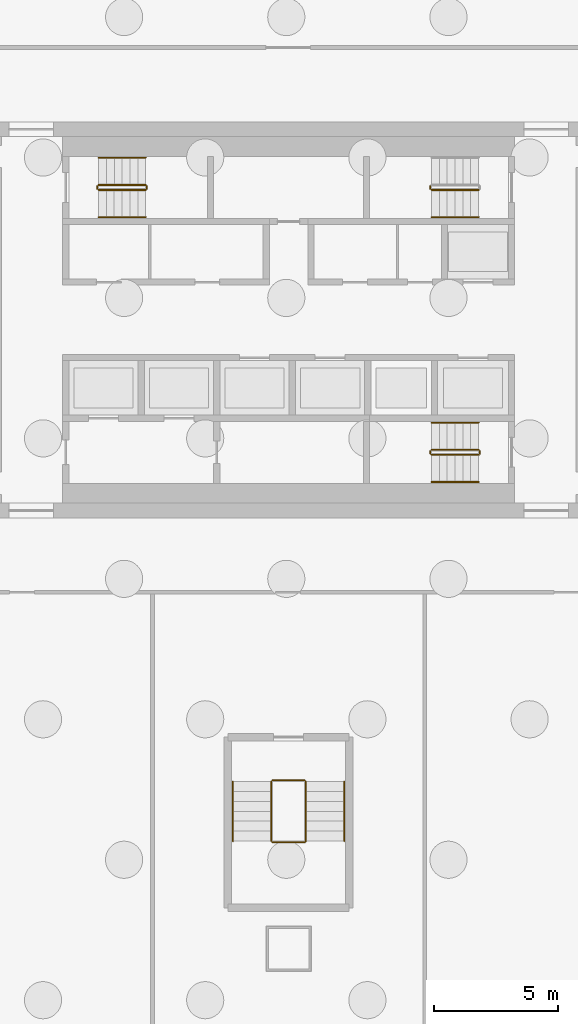
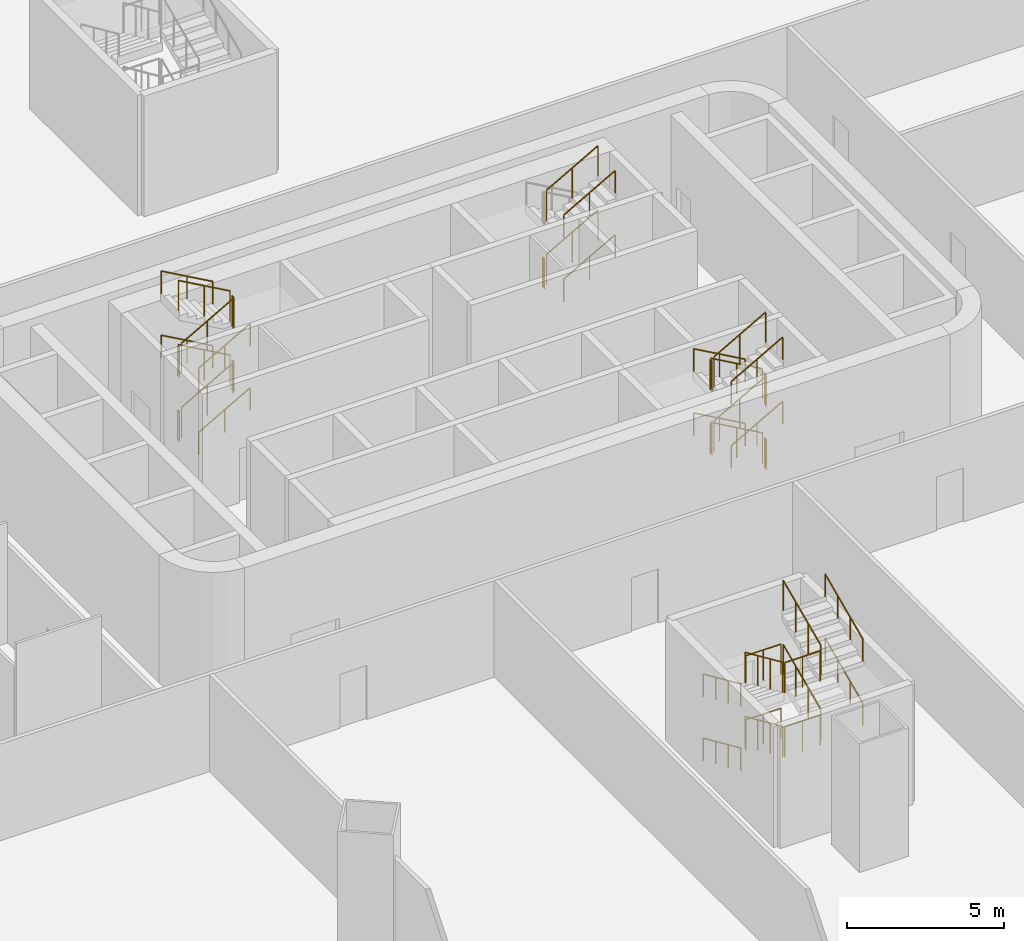
# One storey, part 17 of 19: 41 railings.
"""IFC4 building model written with IfcOpenShell, lengths in metres."""

from ifc_helpers import new_model, si_unit, direction, frame, origin, origin_2d, place, context, subcontext, project, spatial, circle, extrude, material, type_object, element, save


model = new_model("IFC4")

# Units and contexts
model_context = context("Model", 3, precision=1e-05, world=origin(), true_north=direction((0.0, 1.0)))
body_context = subcontext(model_context, "Body", "Model", "MODEL_VIEW")
ifc_project = project(units=[si_unit("LENGTHUNIT", "METRE"), si_unit("AREAUNIT", "SQUARE_METRE"), si_unit("VOLUMEUNIT", "CUBIC_METRE"), si_unit("PLANEANGLEUNIT", "RADIAN"), si_unit("MASSUNIT", "GRAM", prefix="KILO")], contexts=[model_context])

# Site, building, storey
site_placement = place(None, origin())
site = spatial("IfcSite", under=ifc_project, at=site_placement, CompositionType="ELEMENT")
building_placement = place(site_placement, origin())
building = spatial("IfcBuilding", under=site, at=building_placement, Name="Sahrelin Media Tower", CompositionType="ELEMENT")
storey_placement = place(building_placement, frame((0.0, 0.0, -5.0)))
storey = spatial("IfcBuildingStorey", under=building, at=storey_placement, Name="B1", CompositionType="ELEMENT", Elevation=-5.0)

# Railings
ifc_material = material(Name="Steel S355", Category="steel")
railing_type_1 = type_object("IfcRailingType", Name="Stair guard 1200", PredefinedType="GUARDRAIL", material=ifc_material)
railing_1_placement = place(storey_placement, frame((-7.675048828125, 5.25, 0.178466796875)))
element("IfcRailing", 1, at=railing_1_placement, inside=storey, type_object=railing_type_1, Name="B1 ST1 stair guard 1", PredefinedType="GUARDRAIL", context=body_context, shape_type="SweptSolid", body=[
    extrude(circle(Radius=0.02392578125, at=origin_2d()), frame((0.0, 0.0, 1.17578125), z_axis=(0.871046000135, 0.0, 0.491201451188), x_axis=(0.0, 1.0, 0.0)), (0.0, 0.0, 1.0), 2.181396484375),
    extrude(circle(Radius=0.02099609375, at=origin_2d()), origin(), (0.0, 0.0, 1.0), 1.15185546875),
    extrude(circle(Radius=0.02099609375, at=origin_2d()), frame((0.9501953125, 0.0, 0.53564453125)), (0.0, 0.0, 1.0), 1.15185546875),
    extrude(circle(Radius=0.02099609375, at=origin_2d()), frame((1.900146484375, 0.0, 1.071533203125)), (0.0, 0.0, 1.0), 1.15185546875),
])
railing_2_placement = place(storey_placement, frame((-5.72509765625, 5.300048828125, 1.25)))
element("IfcRailing", 2, at=railing_2_placement, inside=storey, type_object=railing_type_1, Name="B1 ST1 stair guard 2", PredefinedType="GUARDRAIL", context=body_context, shape_type="SweptSolid", body=[
    extrude(circle(Radius=0.02392578125, at=origin_2d()), frame((0.0, 0.0, 1.17578125), z_axis=(0.0, 1.0, 0.0), x_axis=(-1.0, 0.0, 0.0)), (0.0, 0.0, 1.0), 0.099853515625),
    extrude(circle(Radius=0.02099609375, at=origin_2d()), origin(), (0.0, 0.0, 1.0), 1.15185546875),
    extrude(circle(Radius=0.02099609375, at=origin_2d()), frame((0.0, 0.099853515625, 0.0)), (0.0, 0.0, 1.0), 1.15185546875),
])
railing_3_placement = place(storey_placement, frame((-5.77490234375, 5.449951171875, 1.428466796875)))
element("IfcRailing", 3, at=railing_3_placement, inside=storey, type_object=railing_type_1, Name="B1 ST1 stair guard 3", PredefinedType="GUARDRAIL", context=body_context, shape_type="SweptSolid", body=[
    extrude(circle(Radius=0.02392578125, at=origin_2d()), frame((0.0, 0.0, 1.17578125), z_axis=(-0.871046000135, 0.0, 0.491201451188), x_axis=(0.0, -1.0, 0.0)), (0.0, 0.0, 1.0), 2.181396484375),
    extrude(circle(Radius=0.02099609375, at=origin_2d()), origin(), (0.0, 0.0, 1.0), 1.15185546875),
    extrude(circle(Radius=0.02099609375, at=origin_2d()), frame((-0.9501953125, 0.0, 0.53564453125)), (0.0, 0.0, 1.0), 1.15185546875),
    extrude(circle(Radius=0.02099609375, at=origin_2d()), frame((-1.900146484375, 0.0, 1.071533203125)), (0.0, 0.0, 1.0), 1.15185546875),
])
railing_4_placement = place(storey_placement, frame((-7.72509765625, 5.300048828125, 2.5)))
element("IfcRailing", 4, at=railing_4_placement, inside=storey, type_object=railing_type_1, Name="B1 ST1 stair guard 4", PredefinedType="GUARDRAIL", context=body_context, shape_type="SweptSolid", body=[
    extrude(circle(Radius=0.02392578125, at=origin_2d()), frame((0.0, 0.0, 1.17578125), z_axis=(0.0, 1.0, 0.0), x_axis=(-1.0, 0.0, 0.0)), (0.0, 0.0, 1.0), 0.099853515625),
    extrude(circle(Radius=0.02099609375, at=origin_2d()), origin(), (0.0, 0.0, 1.0), 1.15185546875),
    extrude(circle(Radius=0.02099609375, at=origin_2d()), frame((0.0, 0.099853515625, 0.0)), (0.0, 0.0, 1.0), 1.15185546875),
])
railing_5_placement = place(storey_placement, frame((-7.675048828125, 5.25, 2.678466796875)))
element("IfcRailing", 5, at=railing_5_placement, inside=storey, type_object=railing_type_1, Name="B1 ST1 stair guard 5", PredefinedType="GUARDRAIL", context=body_context, shape_type="SweptSolid", body=[
    extrude(circle(Radius=0.02392578125, at=origin_2d()), frame((0.0, 0.0, 1.17578125), z_axis=(0.871046000135, 0.0, 0.491201451188), x_axis=(0.0, 1.0, 0.0)), (0.0, 0.0, 1.0), 2.181396484375),
    extrude(circle(Radius=0.02099609375, at=origin_2d()), origin(), (0.0, 0.0, 1.0), 1.15185546875),
    extrude(circle(Radius=0.02099609375, at=origin_2d()), frame((0.9501953125, 0.0, 0.53564453125)), (0.0, 0.0, 1.0), 1.15185546875),
    extrude(circle(Radius=0.02099609375, at=origin_2d()), frame((1.900146484375, 0.0, 1.071533203125)), (0.0, 0.0, 1.0), 1.15185546875),
])
railing_6_placement = place(storey_placement, frame((-5.72509765625, 5.300048828125, 3.75)))
element("IfcRailing", 6, at=railing_6_placement, inside=storey, type_object=railing_type_1, Name="B1 ST1 stair guard 6", PredefinedType="GUARDRAIL", context=body_context, shape_type="SweptSolid", body=[
    extrude(circle(Radius=0.02392578125, at=origin_2d()), frame((0.0, 0.0, 1.17578125), z_axis=(0.0, 1.0, 0.0), x_axis=(-1.0, 0.0, 0.0)), (0.0, 0.0, 1.0), 0.099853515625),
    extrude(circle(Radius=0.02099609375, at=origin_2d()), origin(), (0.0, 0.0, 1.0), 1.15185546875),
    extrude(circle(Radius=0.02099609375, at=origin_2d()), frame((0.0, 0.099853515625, 0.0)), (0.0, 0.0, 1.0), 1.15185546875),
])
railing_7_placement = place(storey_placement, frame((-5.77490234375, 5.449951171875, 3.928466796875)))
element("IfcRailing", 7, at=railing_7_placement, inside=storey, type_object=railing_type_1, Name="B1 ST1 stair guard 7", PredefinedType="GUARDRAIL", context=body_context, shape_type="SweptSolid", body=[
    extrude(circle(Radius=0.02392578125, at=origin_2d()), frame((0.0, 0.0, 1.17578125), z_axis=(-0.871046000135, 0.0, 0.491201451188), x_axis=(0.0, -1.0, 0.0)), (0.0, 0.0, 1.0), 2.181396484375),
    extrude(circle(Radius=0.02099609375, at=origin_2d()), origin(), (0.0, 0.0, 1.0), 1.15185546875),
    extrude(circle(Radius=0.02099609375, at=origin_2d()), frame((-0.9501953125, 0.0, 0.53564453125)), (0.0, 0.0, 1.0), 1.15185546875),
    extrude(circle(Radius=0.02099609375, at=origin_2d()), frame((-1.900146484375, 0.0, 1.071533203125)), (0.0, 0.0, 1.0), 1.15185546875),
])
railing_8_placement = place(storey_placement, frame((-7.72509765625, 5.300048828125, 0.0)))
element("IfcRailing", 8, at=railing_8_placement, inside=storey, type_object=railing_type_1, Name="B1 ST1 stair guard 8", PredefinedType="GUARDRAIL", context=body_context, shape_type="SweptSolid", body=[
    extrude(circle(Radius=0.02392578125, at=origin_2d()), frame((0.0, 0.0, 1.17578125), z_axis=(0.0, 1.0, 0.0), x_axis=(-1.0, 0.0, 0.0)), (0.0, 0.0, 1.0), 0.099853515625),
    extrude(circle(Radius=0.02099609375, at=origin_2d()), origin(), (0.0, 0.0, 1.0), 1.15185546875),
    extrude(circle(Radius=0.02099609375, at=origin_2d()), frame((0.0, 0.099853515625, 0.0)), (0.0, 0.0, 1.0), 1.15185546875),
])
railing_9_placement = place(storey_placement, frame((5.72509765625, 5.39990234375, 1.25)))
element("IfcRailing", 9, at=railing_9_placement, inside=storey, type_object=railing_type_1, Name="B1 ST3 stair guard 2", PredefinedType="GUARDRAIL", context=body_context, shape_type="SweptSolid", body=[
    extrude(circle(Radius=0.02392578125, at=origin_2d()), frame((0.0, 0.0, 1.17578125), z_axis=(0.0, -1.0, 0.0), x_axis=(1.0, 0.0, 0.0)), (0.0, 0.0, 1.0), 0.099853515625),
    extrude(circle(Radius=0.02099609375, at=origin_2d()), origin(), (0.0, 0.0, 1.0), 1.15185546875),
    extrude(circle(Radius=0.02099609375, at=origin_2d()), frame((0.0, -0.099853515625, 0.0)), (0.0, 0.0, 1.0), 1.15185546875),
])
for number, where, name in (
    (10, (5.77490234375, 5.25, 1.428466796875), "B1 ST3 stair guard 3"),
    (11, (5.77490234375, 5.25, 3.928466796875), "B1 ST3 stair guard 7"),
):
    element("IfcRailing", number, at=place(storey_placement, frame(where)), inside=storey, type_object=railing_type_1, Name=name, PredefinedType="GUARDRAIL", context=body_context, shape_type="SweptSolid", body=[
        extrude(circle(Radius=0.02392578125, at=origin_2d()), frame((0.0, 0.0, 1.17578125), z_axis=(0.871046000135, 0.0, 0.491201451188), x_axis=(0.0, 1.0, 0.0)), (0.0, 0.0, 1.0), 2.181396484375),
        extrude(circle(Radius=0.02099609375, at=origin_2d()), origin(), (0.0, 0.0, 1.0), 1.15185546875),
        extrude(circle(Radius=0.02099609375, at=origin_2d()), frame((0.9501953125, 0.0, 0.53564453125)), (0.0, 0.0, 1.0), 1.15185546875),
        extrude(circle(Radius=0.02099609375, at=origin_2d()), frame((1.900146484375, 0.0, 1.071533203125)), (0.0, 0.0, 1.0), 1.15185546875),
    ])
railing_10_placement = place(storey_placement, frame((7.675048828125, -5.25, 0.178466796875)))
element("IfcRailing", 12, at=railing_10_placement, inside=storey, type_object=railing_type_1, Name="B1 ST2 stair guard 1", PredefinedType="GUARDRAIL", context=body_context, shape_type="SweptSolid", body=[
    extrude(circle(Radius=0.02392578125, at=origin_2d()), frame((0.0, 0.0, 1.17578125), z_axis=(-0.871046000135, 0.0, 0.491201451188), x_axis=(0.0, -1.0, 0.0)), (0.0, 0.0, 1.0), 2.181396484375),
    extrude(circle(Radius=0.02099609375, at=origin_2d()), origin(), (0.0, 0.0, 1.0), 1.15185546875),
    extrude(circle(Radius=0.02099609375, at=origin_2d()), frame((-0.9501953125, 0.0, 0.53564453125)), (0.0, 0.0, 1.0), 1.15185546875),
    extrude(circle(Radius=0.02099609375, at=origin_2d()), frame((-1.900146484375, 0.0, 1.071533203125)), (0.0, 0.0, 1.0), 1.15185546875),
])
railing_11_placement = place(storey_placement, frame((5.72509765625, -5.300048828125, 1.25)))
element("IfcRailing", 13, at=railing_11_placement, inside=storey, type_object=railing_type_1, Name="B1 ST2 stair guard 2", PredefinedType="GUARDRAIL", context=body_context, shape_type="SweptSolid", body=[
    extrude(circle(Radius=0.02392578125, at=origin_2d()), frame((0.0, 0.0, 1.17578125), z_axis=(0.0, -1.0, 0.0), x_axis=(1.0, 0.0, 0.0)), (0.0, 0.0, 1.0), 0.099853515625),
    extrude(circle(Radius=0.02099609375, at=origin_2d()), origin(), (0.0, 0.0, 1.0), 1.15185546875),
    extrude(circle(Radius=0.02099609375, at=origin_2d()), frame((0.0, -0.099853515625, 0.0)), (0.0, 0.0, 1.0), 1.15185546875),
])
railing_12_placement = place(storey_placement, frame((5.77490234375, -5.449951171875, 1.428466796875)))
element("IfcRailing", 14, at=railing_12_placement, inside=storey, type_object=railing_type_1, Name="B1 ST2 stair guard 3", PredefinedType="GUARDRAIL", context=body_context, shape_type="SweptSolid", body=[
    extrude(circle(Radius=0.02392578125, at=origin_2d()), frame((0.0, 0.0, 1.17578125), z_axis=(0.871046000135, 0.0, 0.491201451188), x_axis=(0.0, 1.0, 0.0)), (0.0, 0.0, 1.0), 2.181396484375),
    extrude(circle(Radius=0.02099609375, at=origin_2d()), origin(), (0.0, 0.0, 1.0), 1.15185546875),
    extrude(circle(Radius=0.02099609375, at=origin_2d()), frame((0.9501953125, 0.0, 0.53564453125)), (0.0, 0.0, 1.0), 1.15185546875),
    extrude(circle(Radius=0.02099609375, at=origin_2d()), frame((1.900146484375, 0.0, 1.071533203125)), (0.0, 0.0, 1.0), 1.15185546875),
])
railing_13_placement = place(storey_placement, frame((7.72509765625, -5.300048828125, 2.5)))
element("IfcRailing", 15, at=railing_13_placement, inside=storey, type_object=railing_type_1, Name="B1 ST2 stair guard 4", PredefinedType="GUARDRAIL", context=body_context, shape_type="SweptSolid", body=[
    extrude(circle(Radius=0.02392578125, at=origin_2d()), frame((0.0, 0.0, 1.17578125), z_axis=(0.0, -1.0, 0.0), x_axis=(1.0, 0.0, 0.0)), (0.0, 0.0, 1.0), 0.099853515625),
    extrude(circle(Radius=0.02099609375, at=origin_2d()), origin(), (0.0, 0.0, 1.0), 1.15185546875),
    extrude(circle(Radius=0.02099609375, at=origin_2d()), frame((0.0, -0.099853515625, 0.0)), (0.0, 0.0, 1.0), 1.15185546875),
])
railing_14_placement = place(storey_placement, frame((7.675048828125, -5.25, 2.678466796875)))
element("IfcRailing", 16, at=railing_14_placement, inside=storey, type_object=railing_type_1, Name="B1 ST2 stair guard 5", PredefinedType="GUARDRAIL", context=body_context, shape_type="SweptSolid", body=[
    extrude(circle(Radius=0.02392578125, at=origin_2d()), frame((0.0, 0.0, 1.17578125), z_axis=(-0.871046000135, 0.0, 0.491201451188), x_axis=(0.0, -1.0, 0.0)), (0.0, 0.0, 1.0), 2.181396484375),
    extrude(circle(Radius=0.02099609375, at=origin_2d()), origin(), (0.0, 0.0, 1.0), 1.15185546875),
    extrude(circle(Radius=0.02099609375, at=origin_2d()), frame((-0.9501953125, 0.0, 0.53564453125)), (0.0, 0.0, 1.0), 1.15185546875),
    extrude(circle(Radius=0.02099609375, at=origin_2d()), frame((-1.900146484375, 0.0, 1.071533203125)), (0.0, 0.0, 1.0), 1.15185546875),
])
railing_15_placement = place(storey_placement, frame((5.72509765625, -5.300048828125, 3.75)))
element("IfcRailing", 17, at=railing_15_placement, inside=storey, type_object=railing_type_1, Name="B1 ST2 stair guard 6", PredefinedType="GUARDRAIL", context=body_context, shape_type="SweptSolid", body=[
    extrude(circle(Radius=0.02392578125, at=origin_2d()), frame((0.0, 0.0, 1.17578125), z_axis=(0.0, -1.0, 0.0), x_axis=(1.0, 0.0, 0.0)), (0.0, 0.0, 1.0), 0.099853515625),
    extrude(circle(Radius=0.02099609375, at=origin_2d()), origin(), (0.0, 0.0, 1.0), 1.15185546875),
    extrude(circle(Radius=0.02099609375, at=origin_2d()), frame((0.0, -0.099853515625, 0.0)), (0.0, 0.0, 1.0), 1.15185546875),
])
railing_16_placement = place(storey_placement, frame((5.77490234375, -5.449951171875, 3.928466796875)))
element("IfcRailing", 18, at=railing_16_placement, inside=storey, type_object=railing_type_1, Name="B1 ST2 stair guard 7", PredefinedType="GUARDRAIL", context=body_context, shape_type="SweptSolid", body=[
    extrude(circle(Radius=0.02392578125, at=origin_2d()), frame((0.0, 0.0, 1.17578125), z_axis=(0.871046000135, 0.0, 0.491201451188), x_axis=(0.0, 1.0, 0.0)), (0.0, 0.0, 1.0), 2.181396484375),
    extrude(circle(Radius=0.02099609375, at=origin_2d()), origin(), (0.0, 0.0, 1.0), 1.15185546875),
    extrude(circle(Radius=0.02099609375, at=origin_2d()), frame((0.9501953125, 0.0, 0.53564453125)), (0.0, 0.0, 1.0), 1.15185546875),
    extrude(circle(Radius=0.02099609375, at=origin_2d()), frame((1.900146484375, 0.0, 1.071533203125)), (0.0, 0.0, 1.0), 1.15185546875),
])
railing_17_placement = place(storey_placement, frame((7.72509765625, -5.300048828125, 0.0)))
element("IfcRailing", 19, at=railing_17_placement, inside=storey, type_object=railing_type_1, Name="B1 ST2 stair guard 8", PredefinedType="GUARDRAIL", context=body_context, shape_type="SweptSolid", body=[
    extrude(circle(Radius=0.02392578125, at=origin_2d()), frame((0.0, 0.0, 1.17578125), z_axis=(0.0, -1.0, 0.0), x_axis=(1.0, 0.0, 0.0)), (0.0, 0.0, 1.0), 0.099853515625),
    extrude(circle(Radius=0.02099609375, at=origin_2d()), origin(), (0.0, 0.0, 1.0), 1.15185546875),
    extrude(circle(Radius=0.02099609375, at=origin_2d()), frame((0.0, -0.099853515625, 0.0)), (0.0, 0.0, 1.0), 1.15185546875),
])
railing_18_placement = place(storey_placement, frame((-0.699951171875, -18.64990234375, 0.178466796875)))
element("IfcRailing", 20, at=railing_18_placement, inside=storey, type_object=railing_type_1, Name="B1 BS2 stair guard 1", PredefinedType="GUARDRAIL", context=body_context, shape_type="SweptSolid", body=[
    extrude(circle(Radius=0.02392578125, at=origin_2d()), frame((0.0, 0.0, 1.17578125), z_axis=(0.0, -0.913132325675, 0.407663287294), x_axis=(1.0, 0.0, 0.0)), (0.0, 0.0, 1.0), 2.62841796875),
    extrude(circle(Radius=0.02099609375, at=origin_2d()), origin(), (0.0, 0.0, 1.0), 1.15185546875),
    extrude(circle(Radius=0.02099609375, at=origin_2d()), frame((0.0, -0.800048828125, 0.357177734375)), (0.0, 0.0, 1.0), 1.15185546875),
    extrude(circle(Radius=0.02099609375, at=origin_2d()), frame((0.0, -1.60009765625, 0.71435546875)), (0.0, 0.0, 1.0), 1.15185546875),
    extrude(circle(Radius=0.02099609375, at=origin_2d()), frame((0.0, -2.400146484375, 1.071533203125)), (0.0, 0.0, 1.0), 1.15185546875),
])
railing_19_placement = place(storey_placement, frame((-0.64990234375, -21.10009765625, 1.25)))
element("IfcRailing", 21, at=railing_19_placement, inside=storey, type_object=railing_type_1, Name="B1 BS2 stair guard 2", PredefinedType="GUARDRAIL", context=body_context, shape_type="SweptSolid", body=[
    extrude(circle(Radius=0.02392578125, at=origin_2d()), frame((0.0, 0.0, 1.17578125), z_axis=(1.0, 0.0, 0.0), x_axis=(0.0, 1.0, 0.0)), (0.0, 0.0, 1.0), 1.2998046875),
    extrude(circle(Radius=0.02099609375, at=origin_2d()), origin(), (0.0, 0.0, 1.0), 1.15185546875),
    extrude(circle(Radius=0.02099609375, at=origin_2d()), frame((0.64990234375, 0.0, 0.0)), (0.0, 0.0, 1.0), 1.15185546875),
    extrude(circle(Radius=0.02099609375, at=origin_2d()), frame((1.2998046875, 0.0, 0.0)), (0.0, 0.0, 1.0), 1.15185546875),
])
railing_20_placement = place(storey_placement, frame((0.699951171875, -21.050048828125, 1.428466796875)))
element("IfcRailing", 22, at=railing_20_placement, inside=storey, type_object=railing_type_1, Name="B1 BS2 stair guard 3", PredefinedType="GUARDRAIL", context=body_context, shape_type="SweptSolid", body=[
    extrude(circle(Radius=0.02392578125, at=origin_2d()), frame((0.0, 0.0, 1.17578125), z_axis=(0.0, 0.913132325675, 0.407663287294), x_axis=(-1.0, 0.0, 0.0)), (0.0, 0.0, 1.0), 2.62841796875),
    extrude(circle(Radius=0.02099609375, at=origin_2d()), origin(), (0.0, 0.0, 1.0), 1.15185546875),
    extrude(circle(Radius=0.02099609375, at=origin_2d()), frame((0.0, 0.800048828125, 0.357177734375)), (0.0, 0.0, 1.0), 1.15185546875),
    extrude(circle(Radius=0.02099609375, at=origin_2d()), frame((0.0, 1.60009765625, 0.71435546875)), (0.0, 0.0, 1.0), 1.15185546875),
    extrude(circle(Radius=0.02099609375, at=origin_2d()), frame((0.0, 2.400146484375, 1.071533203125)), (0.0, 0.0, 1.0), 1.15185546875),
])
railing_21_placement = place(storey_placement, frame((-0.64990234375, -18.60009765625, 2.5)))
element("IfcRailing", 23, at=railing_21_placement, inside=storey, type_object=railing_type_1, Name="B1 BS2 stair guard 4", PredefinedType="GUARDRAIL", context=body_context, shape_type="SweptSolid", body=[
    extrude(circle(Radius=0.02392578125, at=origin_2d()), frame((0.0, 0.0, 1.17578125), z_axis=(1.0, 0.0, 0.0), x_axis=(0.0, 1.0, 0.0)), (0.0, 0.0, 1.0), 1.2998046875),
    extrude(circle(Radius=0.02099609375, at=origin_2d()), origin(), (0.0, 0.0, 1.0), 1.15185546875),
    extrude(circle(Radius=0.02099609375, at=origin_2d()), frame((0.64990234375, 0.0, 0.0)), (0.0, 0.0, 1.0), 1.15185546875),
    extrude(circle(Radius=0.02099609375, at=origin_2d()), frame((1.2998046875, 0.0, 0.0)), (0.0, 0.0, 1.0), 1.15185546875),
])
railing_22_placement = place(storey_placement, frame((-0.699951171875, -18.64990234375, 2.678466796875)))
element("IfcRailing", 24, at=railing_22_placement, inside=storey, type_object=railing_type_1, Name="B1 BS2 stair guard 5", PredefinedType="GUARDRAIL", context=body_context, shape_type="SweptSolid", body=[
    extrude(circle(Radius=0.02392578125, at=origin_2d()), frame((0.0, 0.0, 1.17578125), z_axis=(0.0, -0.913132325675, 0.407663287294), x_axis=(1.0, 0.0, 0.0)), (0.0, 0.0, 1.0), 2.62841796875),
    extrude(circle(Radius=0.02099609375, at=origin_2d()), origin(), (0.0, 0.0, 1.0), 1.15185546875),
    extrude(circle(Radius=0.02099609375, at=origin_2d()), frame((0.0, -0.800048828125, 0.357177734375)), (0.0, 0.0, 1.0), 1.15185546875),
    extrude(circle(Radius=0.02099609375, at=origin_2d()), frame((0.0, -1.60009765625, 0.71435546875)), (0.0, 0.0, 1.0), 1.15185546875),
    extrude(circle(Radius=0.02099609375, at=origin_2d()), frame((0.0, -2.400146484375, 1.071533203125)), (0.0, 0.0, 1.0), 1.15185546875),
])
railing_23_placement = place(storey_placement, frame((-0.64990234375, -21.10009765625, 3.75)))
element("IfcRailing", 25, at=railing_23_placement, inside=storey, type_object=railing_type_1, Name="B1 BS2 stair guard 6", PredefinedType="GUARDRAIL", context=body_context, shape_type="SweptSolid", body=[
    extrude(circle(Radius=0.02392578125, at=origin_2d()), frame((0.0, 0.0, 1.17578125), z_axis=(1.0, 0.0, 0.0), x_axis=(0.0, 1.0, 0.0)), (0.0, 0.0, 1.0), 1.2998046875),
    extrude(circle(Radius=0.02099609375, at=origin_2d()), origin(), (0.0, 0.0, 1.0), 1.15185546875),
    extrude(circle(Radius=0.02099609375, at=origin_2d()), frame((0.64990234375, 0.0, 0.0)), (0.0, 0.0, 1.0), 1.15185546875),
    extrude(circle(Radius=0.02099609375, at=origin_2d()), frame((1.2998046875, 0.0, 0.0)), (0.0, 0.0, 1.0), 1.15185546875),
])
railing_24_placement = place(storey_placement, frame((0.699951171875, -21.050048828125, 3.928466796875)))
element("IfcRailing", 26, at=railing_24_placement, inside=storey, type_object=railing_type_1, Name="B1 BS2 stair guard 7", PredefinedType="GUARDRAIL", context=body_context, shape_type="SweptSolid", body=[
    extrude(circle(Radius=0.02392578125, at=origin_2d()), frame((0.0, 0.0, 1.17578125), z_axis=(0.0, 0.913132325675, 0.407663287294), x_axis=(-1.0, 0.0, 0.0)), (0.0, 0.0, 1.0), 2.62841796875),
    extrude(circle(Radius=0.02099609375, at=origin_2d()), origin(), (0.0, 0.0, 1.0), 1.15185546875),
    extrude(circle(Radius=0.02099609375, at=origin_2d()), frame((0.0, 0.800048828125, 0.357177734375)), (0.0, 0.0, 1.0), 1.15185546875),
    extrude(circle(Radius=0.02099609375, at=origin_2d()), frame((0.0, 1.60009765625, 0.71435546875)), (0.0, 0.0, 1.0), 1.15185546875),
    extrude(circle(Radius=0.02099609375, at=origin_2d()), frame((0.0, 2.400146484375, 1.071533203125)), (0.0, 0.0, 1.0), 1.15185546875),
])
railing_25_placement = place(storey_placement, frame((-0.64990234375, -18.60009765625, 0.0)))
element("IfcRailing", 27, at=railing_25_placement, inside=storey, type_object=railing_type_1, Name="B1 BS2 stair guard 8", PredefinedType="GUARDRAIL", context=body_context, shape_type="SweptSolid", body=[
    extrude(circle(Radius=0.02392578125, at=origin_2d()), frame((0.0, 0.0, 1.17578125), z_axis=(1.0, 0.0, 0.0), x_axis=(0.0, 1.0, 0.0)), (0.0, 0.0, 1.0), 1.2998046875),
    extrude(circle(Radius=0.02099609375, at=origin_2d()), origin(), (0.0, 0.0, 1.0), 1.15185546875),
    extrude(circle(Radius=0.02099609375, at=origin_2d()), frame((0.64990234375, 0.0, 0.0)), (0.0, 0.0, 1.0), 1.15185546875),
    extrude(circle(Radius=0.02099609375, at=origin_2d()), frame((1.2998046875, 0.0, 0.0)), (0.0, 0.0, 1.0), 1.15185546875),
])
railing_type_2 = type_object("IfcRailingType", Name="Stair handrail 900", PredefinedType="HANDRAIL", material=ifc_material)
railing_26_placement = place(storey_placement, frame((-7.675048828125, 4.14990234375, 0.178466796875)))
element("IfcRailing", 28, at=railing_26_placement, inside=storey, type_object=railing_type_2, Name="B1 ST1 stair handrail 1", PredefinedType="HANDRAIL", context=body_context, shape_type="SweptSolid", body=[
    extrude(circle(Radius=0.02392578125, at=origin_2d()), frame((0.0, 0.0, 0.8759765625), z_axis=(0.871046000135, 0.0, 0.491201451188), x_axis=(0.0, 1.0, 0.0)), (0.0, 0.0, 1.0), 2.181396484375),
    extrude(circle(Radius=0.02099609375, at=origin_2d()), origin(), (0.0, 0.0, 1.0), 0.851806640625),
    extrude(circle(Radius=0.02099609375, at=origin_2d()), frame((0.9501953125, 0.0, 0.53564453125)), (0.0, 0.0, 1.0), 0.851806640625),
    extrude(circle(Radius=0.02099609375, at=origin_2d()), frame((1.900146484375, 0.0, 1.071533203125)), (0.0, 0.0, 1.0), 0.851806640625),
])
railing_27_placement = place(storey_placement, frame((-5.77490234375, 6.550048828125, 1.428466796875)))
element("IfcRailing", 29, at=railing_27_placement, inside=storey, type_object=railing_type_2, Name="B1 ST1 stair handrail 2", PredefinedType="HANDRAIL", context=body_context, shape_type="SweptSolid", body=[
    extrude(circle(Radius=0.02392578125, at=origin_2d()), frame((0.0, 0.0, 0.8759765625), z_axis=(-0.871046000135, 0.0, 0.491201451188), x_axis=(0.0, -1.0, 0.0)), (0.0, 0.0, 1.0), 2.181396484375),
    extrude(circle(Radius=0.02099609375, at=origin_2d()), origin(), (0.0, 0.0, 1.0), 0.851806640625),
    extrude(circle(Radius=0.02099609375, at=origin_2d()), frame((-0.9501953125, 0.0, 0.53564453125)), (0.0, 0.0, 1.0), 0.851806640625),
    extrude(circle(Radius=0.02099609375, at=origin_2d()), frame((-1.900146484375, 0.0, 1.071533203125)), (0.0, 0.0, 1.0), 0.851806640625),
])
railing_28_placement = place(storey_placement, frame((-7.675048828125, 4.14990234375, 2.678466796875)))
element("IfcRailing", 30, at=railing_28_placement, inside=storey, type_object=railing_type_2, Name="B1 ST1 stair handrail 3", PredefinedType="HANDRAIL", context=body_context, shape_type="SweptSolid", body=[
    extrude(circle(Radius=0.02392578125, at=origin_2d()), frame((0.0, 0.0, 0.8759765625), z_axis=(0.871046000135, 0.0, 0.491201451188), x_axis=(0.0, 1.0, 0.0)), (0.0, 0.0, 1.0), 2.181396484375),
    extrude(circle(Radius=0.02099609375, at=origin_2d()), origin(), (0.0, 0.0, 1.0), 0.851806640625),
    extrude(circle(Radius=0.02099609375, at=origin_2d()), frame((0.9501953125, 0.0, 0.53564453125)), (0.0, 0.0, 1.0), 0.851806640625),
    extrude(circle(Radius=0.02099609375, at=origin_2d()), frame((1.900146484375, 0.0, 1.071533203125)), (0.0, 0.0, 1.0), 0.851806640625),
])
railing_29_placement = place(storey_placement, frame((-5.77490234375, 6.550048828125, 3.928466796875)))
element("IfcRailing", 31, at=railing_29_placement, inside=storey, type_object=railing_type_2, Name="B1 ST1 stair handrail 4", PredefinedType="HANDRAIL", context=body_context, shape_type="SweptSolid", body=[
    extrude(circle(Radius=0.02392578125, at=origin_2d()), frame((0.0, 0.0, 0.8759765625), z_axis=(-0.871046000135, 0.0, 0.491201451188), x_axis=(0.0, -1.0, 0.0)), (0.0, 0.0, 1.0), 2.181396484375),
    extrude(circle(Radius=0.02099609375, at=origin_2d()), origin(), (0.0, 0.0, 1.0), 0.851806640625),
    extrude(circle(Radius=0.02099609375, at=origin_2d()), frame((-0.9501953125, 0.0, 0.53564453125)), (0.0, 0.0, 1.0), 0.851806640625),
    extrude(circle(Radius=0.02099609375, at=origin_2d()), frame((-1.900146484375, 0.0, 1.071533203125)), (0.0, 0.0, 1.0), 0.851806640625),
])
for number, where, name in (
    (32, (5.77490234375, 4.14990234375, 1.428466796875), "B1 ST3 stair handrail 2"),
    (33, (5.77490234375, 4.14990234375, 3.928466796875), "B1 ST3 stair handrail 4"),
):
    element("IfcRailing", number, at=place(storey_placement, frame(where)), inside=storey, type_object=railing_type_2, Name=name, PredefinedType="HANDRAIL", context=body_context, shape_type="SweptSolid", body=[
        extrude(circle(Radius=0.02392578125, at=origin_2d()), frame((0.0, 0.0, 0.8759765625), z_axis=(0.871046000135, 0.0, 0.491201451188), x_axis=(0.0, 1.0, 0.0)), (0.0, 0.0, 1.0), 2.181396484375),
        extrude(circle(Radius=0.02099609375, at=origin_2d()), origin(), (0.0, 0.0, 1.0), 0.851806640625),
        extrude(circle(Radius=0.02099609375, at=origin_2d()), frame((0.9501953125, 0.0, 0.53564453125)), (0.0, 0.0, 1.0), 0.851806640625),
        extrude(circle(Radius=0.02099609375, at=origin_2d()), frame((1.900146484375, 0.0, 1.071533203125)), (0.0, 0.0, 1.0), 0.851806640625),
    ])
railing_30_placement = place(storey_placement, frame((7.675048828125, -4.14990234375, 0.178466796875)))
element("IfcRailing", 34, at=railing_30_placement, inside=storey, type_object=railing_type_2, Name="B1 ST2 stair handrail 1", PredefinedType="HANDRAIL", context=body_context, shape_type="SweptSolid", body=[
    extrude(circle(Radius=0.02392578125, at=origin_2d()), frame((0.0, 0.0, 0.8759765625), z_axis=(-0.871046000135, 0.0, 0.491201451188), x_axis=(0.0, -1.0, 0.0)), (0.0, 0.0, 1.0), 2.181396484375),
    extrude(circle(Radius=0.02099609375, at=origin_2d()), origin(), (0.0, 0.0, 1.0), 0.851806640625),
    extrude(circle(Radius=0.02099609375, at=origin_2d()), frame((-0.9501953125, 0.0, 0.53564453125)), (0.0, 0.0, 1.0), 0.851806640625),
    extrude(circle(Radius=0.02099609375, at=origin_2d()), frame((-1.900146484375, 0.0, 1.071533203125)), (0.0, 0.0, 1.0), 0.851806640625),
])
railing_31_placement = place(storey_placement, frame((5.77490234375, -6.550048828125, 1.428466796875)))
element("IfcRailing", 35, at=railing_31_placement, inside=storey, type_object=railing_type_2, Name="B1 ST2 stair handrail 2", PredefinedType="HANDRAIL", context=body_context, shape_type="SweptSolid", body=[
    extrude(circle(Radius=0.02392578125, at=origin_2d()), frame((0.0, 0.0, 0.8759765625), z_axis=(0.871046000135, 0.0, 0.491201451188), x_axis=(0.0, 1.0, 0.0)), (0.0, 0.0, 1.0), 2.181396484375),
    extrude(circle(Radius=0.02099609375, at=origin_2d()), origin(), (0.0, 0.0, 1.0), 0.851806640625),
    extrude(circle(Radius=0.02099609375, at=origin_2d()), frame((0.9501953125, 0.0, 0.53564453125)), (0.0, 0.0, 1.0), 0.851806640625),
    extrude(circle(Radius=0.02099609375, at=origin_2d()), frame((1.900146484375, 0.0, 1.071533203125)), (0.0, 0.0, 1.0), 0.851806640625),
])
railing_32_placement = place(storey_placement, frame((7.675048828125, -4.14990234375, 2.678466796875)))
element("IfcRailing", 36, at=railing_32_placement, inside=storey, type_object=railing_type_2, Name="B1 ST2 stair handrail 3", PredefinedType="HANDRAIL", context=body_context, shape_type="SweptSolid", body=[
    extrude(circle(Radius=0.02392578125, at=origin_2d()), frame((0.0, 0.0, 0.8759765625), z_axis=(-0.871046000135, 0.0, 0.491201451188), x_axis=(0.0, -1.0, 0.0)), (0.0, 0.0, 1.0), 2.181396484375),
    extrude(circle(Radius=0.02099609375, at=origin_2d()), origin(), (0.0, 0.0, 1.0), 0.851806640625),
    extrude(circle(Radius=0.02099609375, at=origin_2d()), frame((-0.9501953125, 0.0, 0.53564453125)), (0.0, 0.0, 1.0), 0.851806640625),
    extrude(circle(Radius=0.02099609375, at=origin_2d()), frame((-1.900146484375, 0.0, 1.071533203125)), (0.0, 0.0, 1.0), 0.851806640625),
])
railing_33_placement = place(storey_placement, frame((5.77490234375, -6.550048828125, 3.928466796875)))
element("IfcRailing", 37, at=railing_33_placement, inside=storey, type_object=railing_type_2, Name="B1 ST2 stair handrail 4", PredefinedType="HANDRAIL", context=body_context, shape_type="SweptSolid", body=[
    extrude(circle(Radius=0.02392578125, at=origin_2d()), frame((0.0, 0.0, 0.8759765625), z_axis=(0.871046000135, 0.0, 0.491201451188), x_axis=(0.0, 1.0, 0.0)), (0.0, 0.0, 1.0), 2.181396484375),
    extrude(circle(Radius=0.02099609375, at=origin_2d()), origin(), (0.0, 0.0, 1.0), 0.851806640625),
    extrude(circle(Radius=0.02099609375, at=origin_2d()), frame((0.9501953125, 0.0, 0.53564453125)), (0.0, 0.0, 1.0), 0.851806640625),
    extrude(circle(Radius=0.02099609375, at=origin_2d()), frame((1.900146484375, 0.0, 1.071533203125)), (0.0, 0.0, 1.0), 0.851806640625),
])
railing_34_placement = place(storey_placement, frame((-2.25, -18.64990234375, 0.178466796875)))
element("IfcRailing", 38, at=railing_34_placement, inside=storey, type_object=railing_type_2, Name="B1 BS2 stair handrail 1", PredefinedType="HANDRAIL", context=body_context, shape_type="SweptSolid", body=[
    extrude(circle(Radius=0.02392578125, at=origin_2d()), frame((0.0, 0.0, 0.8759765625), z_axis=(0.0, -0.913132325675, 0.407663287294), x_axis=(1.0, 0.0, 0.0)), (0.0, 0.0, 1.0), 2.62841796875),
    extrude(circle(Radius=0.02099609375, at=origin_2d()), origin(), (0.0, 0.0, 1.0), 0.851806640625),
    extrude(circle(Radius=0.02099609375, at=origin_2d()), frame((0.0, -0.800048828125, 0.357177734375)), (0.0, 0.0, 1.0), 0.851806640625),
    extrude(circle(Radius=0.02099609375, at=origin_2d()), frame((0.0, -1.60009765625, 0.71435546875)), (0.0, 0.0, 1.0), 0.851806640625),
    extrude(circle(Radius=0.02099609375, at=origin_2d()), frame((0.0, -2.400146484375, 1.071533203125)), (0.0, 0.0, 1.0), 0.851806640625),
])
railing_35_placement = place(storey_placement, frame((2.25, -21.050048828125, 1.428466796875)))
element("IfcRailing", 39, at=railing_35_placement, inside=storey, type_object=railing_type_2, Name="B1 BS2 stair handrail 2", PredefinedType="HANDRAIL", context=body_context, shape_type="SweptSolid", body=[
    extrude(circle(Radius=0.02392578125, at=origin_2d()), frame((0.0, 0.0, 0.8759765625), z_axis=(0.0, 0.913132325675, 0.407663287294), x_axis=(-1.0, 0.0, 0.0)), (0.0, 0.0, 1.0), 2.62841796875),
    extrude(circle(Radius=0.02099609375, at=origin_2d()), origin(), (0.0, 0.0, 1.0), 0.851806640625),
    extrude(circle(Radius=0.02099609375, at=origin_2d()), frame((0.0, 0.800048828125, 0.357177734375)), (0.0, 0.0, 1.0), 0.851806640625),
    extrude(circle(Radius=0.02099609375, at=origin_2d()), frame((0.0, 1.60009765625, 0.71435546875)), (0.0, 0.0, 1.0), 0.851806640625),
    extrude(circle(Radius=0.02099609375, at=origin_2d()), frame((0.0, 2.400146484375, 1.071533203125)), (0.0, 0.0, 1.0), 0.851806640625),
])
railing_36_placement = place(storey_placement, frame((-2.25, -18.64990234375, 2.678466796875)))
element("IfcRailing", 40, at=railing_36_placement, inside=storey, type_object=railing_type_2, Name="B1 BS2 stair handrail 3", PredefinedType="HANDRAIL", context=body_context, shape_type="SweptSolid", body=[
    extrude(circle(Radius=0.02392578125, at=origin_2d()), frame((0.0, 0.0, 0.8759765625), z_axis=(0.0, -0.913132325675, 0.407663287294), x_axis=(1.0, 0.0, 0.0)), (0.0, 0.0, 1.0), 2.62841796875),
    extrude(circle(Radius=0.02099609375, at=origin_2d()), origin(), (0.0, 0.0, 1.0), 0.851806640625),
    extrude(circle(Radius=0.02099609375, at=origin_2d()), frame((0.0, -0.800048828125, 0.357177734375)), (0.0, 0.0, 1.0), 0.851806640625),
    extrude(circle(Radius=0.02099609375, at=origin_2d()), frame((0.0, -1.60009765625, 0.71435546875)), (0.0, 0.0, 1.0), 0.851806640625),
    extrude(circle(Radius=0.02099609375, at=origin_2d()), frame((0.0, -2.400146484375, 1.071533203125)), (0.0, 0.0, 1.0), 0.851806640625),
])
railing_37_placement = place(storey_placement, frame((2.25, -21.050048828125, 3.928466796875)))
element("IfcRailing", 41, at=railing_37_placement, inside=storey, type_object=railing_type_2, Name="B1 BS2 stair handrail 4", PredefinedType="HANDRAIL", context=body_context, shape_type="SweptSolid", body=[
    extrude(circle(Radius=0.02392578125, at=origin_2d()), frame((0.0, 0.0, 0.8759765625), z_axis=(0.0, 0.913132325675, 0.407663287294), x_axis=(-1.0, 0.0, 0.0)), (0.0, 0.0, 1.0), 2.62841796875),
    extrude(circle(Radius=0.02099609375, at=origin_2d()), origin(), (0.0, 0.0, 1.0), 0.851806640625),
    extrude(circle(Radius=0.02099609375, at=origin_2d()), frame((0.0, 0.800048828125, 0.357177734375)), (0.0, 0.0, 1.0), 0.851806640625),
    extrude(circle(Radius=0.02099609375, at=origin_2d()), frame((0.0, 1.60009765625, 0.71435546875)), (0.0, 0.0, 1.0), 0.851806640625),
    extrude(circle(Radius=0.02099609375, at=origin_2d()), frame((0.0, 2.400146484375, 1.071533203125)), (0.0, 0.0, 1.0), 0.851806640625),
])

save(model, "model.ifc")
